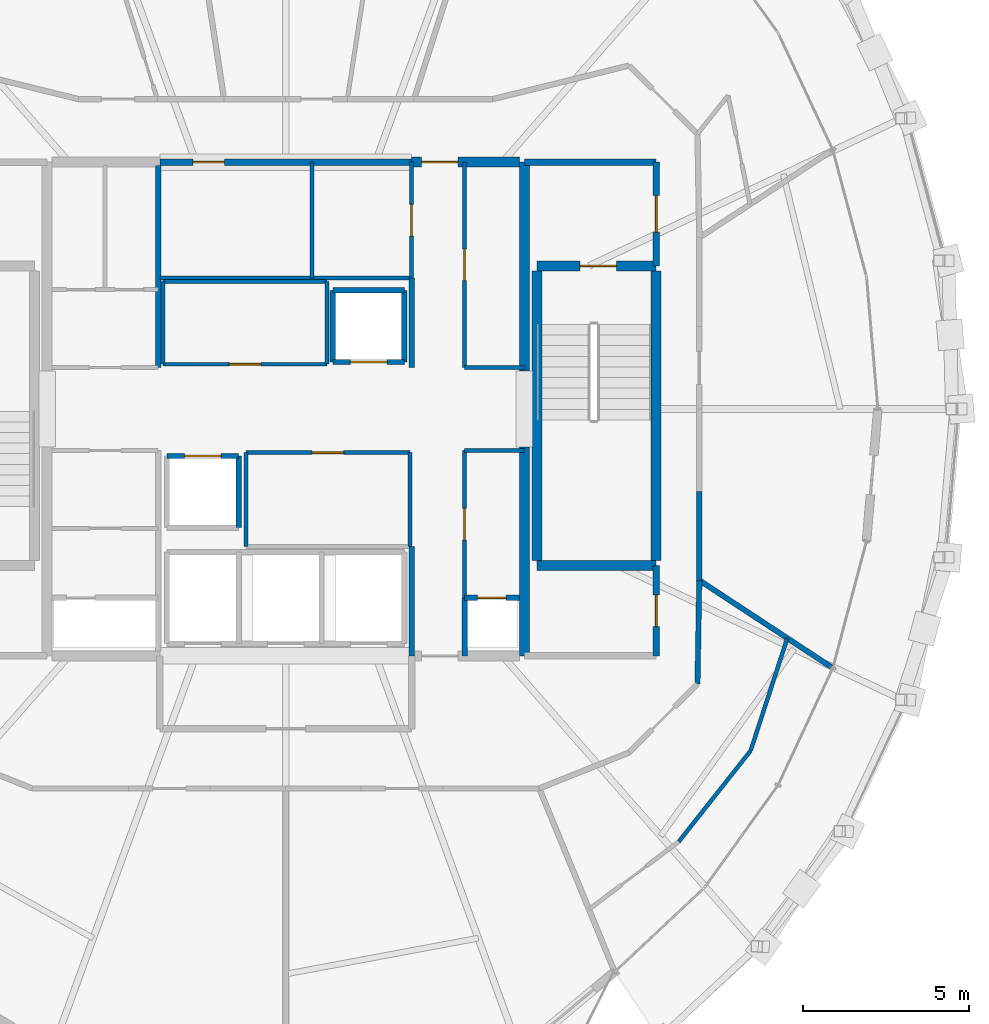
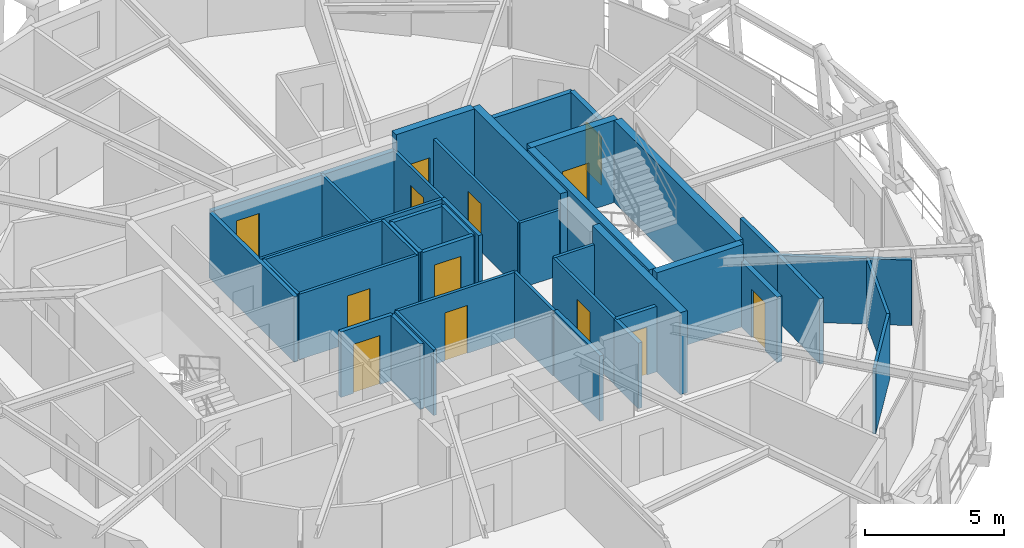
# One storey, part 13 of 16: 41 walls, 13 doors, 13 openings.
"""IFC4 building model written with IfcOpenShell, lengths in metres."""

from ifc_helpers import new_model, si_unit, direction, frame, frame_2d, origin, place, context, subcontext, project, spatial, rectangle, extrude, material, layer, layer_set, type_object, element, fill, save


model = new_model("IFC4")

# Units and contexts
model_context = context("Model", 3, precision=1e-05, world=origin(), true_north=direction((0.0, 1.0)))
body_context = subcontext(model_context, "Body", "Model", "MODEL_VIEW")
ifc_project = project(units=[si_unit("LENGTHUNIT", "METRE"), si_unit("AREAUNIT", "SQUARE_METRE"), si_unit("VOLUMEUNIT", "CUBIC_METRE"), si_unit("PLANEANGLEUNIT", "RADIAN"), si_unit("MASSUNIT", "GRAM", prefix="KILO")], contexts=[model_context])

# Site, building, storey
site_placement = place(None, origin())
site = spatial("IfcSite", under=ifc_project, at=site_placement, CompositionType="ELEMENT")
building_placement = place(site_placement, origin())
building = spatial("IfcBuilding", under=site, at=building_placement, Name="Veldorina Hangang Commons", CompositionType="ELEMENT")
storey_placement = place(building_placement, frame((0.0, 0.0, 283.199951171875)))
storey = spatial("IfcBuildingStorey", under=building, at=storey_placement, Name="L74", CompositionType="ELEMENT", Elevation=283.199951171875)

# Walls
ifc_material_1 = material(Name="Concrete C50/60", Category="concrete")
ifc_layer_1 = layer(ifc_material_1, 0.300048828125)
ifc_layer_set_1 = layer_set([ifc_layer_1], Name="Concrete C50/60")
wall_type_1 = type_object("IfcWallType", Name="CW-RC300-C50", PredefinedType="SHEAR", material=ifc_layer_set_1)
for number, where, z_axis, x_axis, name in (
    (1, (39.199951171875, 16.550048828125, 0.0), (0.0, 0.0, 1.0), (0.0, 1.0, 0.0), "L74 E south core shear wall"),
    (2, (39.199951171875, 25.14990234375, 0.0), (0.0, 0.0, 1.0), (0.0, 1.0, 0.0), "L74 E north core shear wall"),
):
    element("IfcWall", number, at=place(storey_placement, frame(where, z_axis=z_axis, x_axis=x_axis)), inside=storey, type_object=wall_type_1, Name=name, PredefinedType="SHEAR", context=body_context, shape_type="SweptSolid", body=[
        extrude(rectangle(XDim=6.300048828125, YDim=0.300048828125, at=frame_2d((3.14990234375, 0.0))), origin(), (0.0, 0.0, 1.0), 3.60009765625),
    ])

# Wall, opening, door
wall_1_placement = place(storey_placement, frame((35.800048828125, 31.449951171875, 0.0), z_axis=(0.0, 0.0, 1.0), x_axis=(1.0, 0.0, 0.0)))
wall_1 = element("IfcWall", 3, at=wall_1_placement, inside=storey, type_object=wall_type_1, Name="L74 north-east core shear wall", PredefinedType="SHEAR", context=body_context, shape_type="SweptSolid", body=[
    extrude(rectangle(XDim=3.25, YDim=0.300048828125, at=frame_2d((1.625, 0.0))), origin(), (0.0, 0.0, 1.0), 3.60009765625),
])
opening_1_placement = place(wall_1_placement, frame((0.300048828125, 0.0, 0.0)))
opening_1 = element("IfcOpeningElement", 4, at=opening_1_placement, cuts=wall_1, Name="Opening D-08", PredefinedType="OPENING", context=body_context, shape_type="SweptSolid", body=[
    extrude(rectangle(XDim=1.10009765625, YDim=2.10009765625, at=frame_2d((0.550048828125, 1.050048828125))), frame((0.0, 0.16015625, 0.0), z_axis=(0.0, -1.0, 0.0), x_axis=(1.0, 0.0, 0.0)), (0.0, 0.0, 1.0), 0.320068359375),
])
ifc_material_2 = material(Name="Steel Fire-Rated Smoke Seal", Category="steel")
door_type_1 = type_object("IfcDoorType", Name="DR-FIRE-1100", OperationType="SINGLE_SWING_RIGHT", PredefinedType="DOOR", material=ifc_material_2)
door_1_placement = place(opening_1_placement, origin())
door_1 = element("IfcDoor", 5, at=door_1_placement, inside=storey, type_object=door_type_1, Name="L74 central lift lobby north corridor door", OperationType="SINGLE_SWING_LEFT", OverallHeight=2.10009765625, OverallWidth=1.10009765625, PredefinedType="DOOR", context=body_context, shape_type="SweptSolid", body=[
    extrude(rectangle(XDim=1.10009765625, YDim=2.10009765625, at=frame_2d((0.550048828125, 1.050048828125))), frame((0.0, 0.02490234375, 0.0), z_axis=(0.0, -1.0, 0.0), x_axis=(1.0, 0.0, 0.0)), (0.0, 0.0, 1.0), 0.050048828125),
])
fill(opening_1, door_1)

# Walls
ifc_layer_2 = layer(ifc_material_1, 0.300048828125)
ifc_layer_set_2 = layer_set([ifc_layer_2], Name="Concrete C50/60")
wall_type_2 = type_object("IfcWallType", Name="SW-STAIR-300", PredefinedType="SHEAR", material=ifc_layer_set_2)
for number, where, z_axis, x_axis, name in (
    (6, (43.179931640625, 19.429931640625, 0.0), (0.0, 0.0, 1.0), (0.0, 1.0, 0.0), "L74 ST2 outer stair shear wall"),
    (7, (39.580078125, 19.429931640625, 0.0), (0.0, 0.0, 1.0), (0.0, 1.0, 0.0), "L74 ST2 inner stair shear wall"),
):
    element("IfcWall", number, at=place(storey_placement, frame(where, z_axis=z_axis, x_axis=x_axis)), inside=storey, type_object=wall_type_2, Name=name, PredefinedType="SHEAR", context=body_context, shape_type="SweptSolid", body=[
        extrude(rectangle(XDim=8.739990234375, YDim=0.300048828125, at=frame_2d((4.3701171875, 0.0))), origin(), (0.0, 0.0, 1.0), 3.60009765625),
    ])
wall_2_placement = place(storey_placement, frame((39.580078125, 19.280029296875, 0.0), z_axis=(0.0, 0.0, 1.0), x_axis=(1.0, 0.0, 0.0)))
element("IfcWall", 8, at=wall_2_placement, inside=storey, type_object=wall_type_2, Name="L74 ST2 south stair shear wall", PredefinedType="SHEAR", context=body_context, shape_type="SweptSolid", body=[
    extrude(rectangle(XDim=3.599853515625, YDim=0.300048828125, at=frame_2d((1.7998046875, 0.0))), origin(), (0.0, 0.0, 1.0), 3.60009765625),
])

# Wall, opening, door
wall_3_placement = place(storey_placement, frame((39.580078125, 28.320068359375, 0.0), z_axis=(0.0, 0.0, 1.0), x_axis=(1.0, 0.0, 0.0)))
wall_3 = element("IfcWall", 9, at=wall_3_placement, inside=storey, type_object=wall_type_2, Name="L74 ST2 north stair shear wall", PredefinedType="SHEAR", context=body_context, shape_type="SweptSolid", body=[
    extrude(rectangle(XDim=3.599853515625, YDim=0.300048828125, at=frame_2d((1.7998046875, 0.0))), origin(), (0.0, 0.0, 1.0), 3.60009765625),
])
opening_2_placement = place(wall_3_placement, frame((1.300048828125, 0.0, 0.0)))
opening_2 = element("IfcOpeningElement", 10, at=opening_2_placement, cuts=wall_3, Name="Opening D-08", PredefinedType="OPENING", context=body_context, shape_type="SweptSolid", body=[
    extrude(rectangle(XDim=1.10009765625, YDim=2.10009765625, at=frame_2d((0.550048828125, 1.050048828125))), frame((0.0, 0.16015625, 0.0), z_axis=(0.0, -1.0, 0.0), x_axis=(1.0, 0.0, 0.0)), (0.0, 0.0, 1.0), 0.320068359375),
])
door_2_placement = place(opening_2_placement, origin())
door_2 = element("IfcDoor", 11, at=door_2_placement, inside=storey, type_object=door_type_1, Name="L74 Special Escape Stair ST-2 door", OperationType="SINGLE_SWING_RIGHT", OverallHeight=2.10009765625, OverallWidth=1.10009765625, PredefinedType="DOOR", context=body_context, shape_type="SweptSolid", body=[
    extrude(rectangle(XDim=1.10009765625, YDim=2.10009765625, at=frame_2d((0.550048828125, 1.050048828125))), frame((0.0, 0.02490234375, 0.0), z_axis=(0.0, -1.0, 0.0), x_axis=(1.0, 0.0, 0.0)), (0.0, 0.0, 1.0), 0.050048828125),
])
fill(opening_2, door_2)

# Walls
ifc_material_3 = material(Name="Gypsum Fire-Rated Twin Stud Wall", Category="gypsum")
ifc_layer_3 = layer(ifc_material_3, 0.159912109375)
ifc_layer_set_3 = layer_set([ifc_layer_3], Name="Gypsum Fire-Rated Twin Stud Wall")
wall_type_3 = type_object("IfcWallType", Name="WL-FIRE-160", PredefinedType="SOLIDWALL", material=ifc_layer_set_3)
wall_4_placement = place(storey_placement, frame((35.800048828125, 16.550048828125, 0.0), z_axis=(0.0, 0.0, 1.0), x_axis=(0.0, 1.0, 0.0)))
element("IfcWall", 12, at=wall_4_placement, inside=storey, type_object=wall_type_3, Name="L74 Lift passage SW wall 009", PredefinedType="SOLIDWALL", context=body_context, shape_type="SweptSolid", body=[
    extrude(rectangle(XDim=3.300048828125, YDim=0.159912109375, at=frame_2d((1.64990234375, 0.0))), origin(), (0.0, 0.0, 1.0), 2.8701171875),
])
wall_5_placement = place(storey_placement, frame((37.39990234375, 16.550048828125, 0.0), z_axis=(0.0, 0.0, 1.0), x_axis=(0.0, 1.0, 0.0)))
element("IfcWall", 13, at=wall_5_placement, inside=storey, type_object=wall_type_3, Name="L74 Lift passage SE stub 010", PredefinedType="SOLIDWALL", context=body_context, shape_type="SweptSolid", body=[
    extrude(rectangle(XDim=1.75, YDim=0.159912109375, at=frame_2d((0.875, 0.0))), origin(), (0.0, 0.0, 1.0), 2.8701171875),
])
wall_6_placement = place(storey_placement, frame((35.800048828125, 25.25, 0.0), z_axis=(0.0, 0.0, 1.0), x_axis=(0.0, 1.0, 0.0)))
element("IfcWall", 14, at=wall_6_placement, inside=storey, type_object=wall_type_3, Name="L74 Lift passage NW lower wall 011", PredefinedType="SOLIDWALL", context=body_context, shape_type="SweptSolid", body=[
    extrude(rectangle(XDim=2.699951171875, YDim=0.159912109375, at=frame_2d((1.35009765625, 0.0))), origin(), (0.0, 0.0, 1.0), 2.8701171875),
])

# Wall, opening, door
wall_7_placement = place(storey_placement, frame((33.419921875, 25.419921875, 0.0), z_axis=(0.0, 0.0, 1.0), x_axis=(1.0, 0.0, 0.0)))
wall_7 = element("IfcWall", 15, at=wall_7_placement, inside=storey, type_object=wall_type_3, Name="L74 Mid-high front shaft wall 015", PredefinedType="SOLIDWALL", context=body_context, shape_type="SweptSolid", body=[
    extrude(rectangle(XDim=2.16015625, YDim=0.159912109375, at=frame_2d((1.080078125, 0.0))), origin(), (0.0, 0.0, 1.0), 2.8701171875),
])
opening_3_placement = place(wall_7_placement, frame((0.530029296875, 0.0, 0.0)))
opening_3 = element("IfcOpeningElement", 16, at=opening_3_placement, cuts=wall_7, Name="Opening LD-01", PredefinedType="OPENING", context=body_context, shape_type="SweptSolid", body=[
    extrude(rectangle(XDim=1.10009765625, YDim=2.14990234375, at=frame_2d((0.550048828125, 1.074951171875))), frame((0.0, 0.08984375, 0.0), z_axis=(0.0, -1.0, 0.0), x_axis=(1.0, 0.0, 0.0)), (0.0, 0.0, 1.0), 0.179931640625),
])
ifc_material_4 = material(Name="Stainless Steel Brushed Lift Door", Category="steel")
door_type_2 = type_object("IfcDoorType", Name="DR-LIFT-1100", OperationType="SLIDING_TO_LEFT", PredefinedType="DOOR", material=ifc_material_4)
door_3_placement = place(opening_3_placement, origin())
door_3 = element("IfcDoor", 17, at=door_3_placement, inside=storey, type_object=door_type_2, Name="L74 Lift PL-H1 landing door 006", OperationType="SLIDING_TO_RIGHT", OverallHeight=2.14990234375, OverallWidth=1.10009765625, PredefinedType="DOOR", context=body_context, shape_type="SweptSolid", body=[
    extrude(rectangle(XDim=1.10009765625, YDim=2.14990234375, at=frame_2d((0.550048828125, 1.074951171875))), frame((0.0, 0.02490234375, 0.0), z_axis=(0.0, -1.0, 0.0), x_axis=(1.0, 0.0, 0.0)), (0.0, 0.0, 1.0), 0.050048828125),
])
fill(opening_3, door_3)

# Walls
for number, where, z_axis, x_axis, name in (
    (18, (33.419921875, 27.580078125, 0.0), (0.0, 0.0, 1.0), (1.0, 0.0, 0.0), "L74 Mid-high rear shaft wall 016"),
    (19, (33.419921875, 25.419921875, 0.0), (0.0, 0.0, 1.0), (0.0, 1.0, 0.0), "L74 PL-H1 west shaft wall 017"),
    (20, (35.580078125, 25.419921875, 0.0), (0.0, 0.0, 1.0), (0.0, 1.0, 0.0), "L74 PL-H1 east shaft wall 018"),
):
    element("IfcWall", number, at=place(storey_placement, frame(where, z_axis=z_axis, x_axis=x_axis)), inside=storey, type_object=wall_type_3, Name=name, PredefinedType="SOLIDWALL", context=body_context, shape_type="SweptSolid", body=[
        extrude(rectangle(XDim=2.16015625, YDim=0.159912109375, at=frame_2d((1.080078125, 0.0))), origin(), (0.0, 0.0, 1.0), 2.8701171875),
    ])

# Wall, opening, door
wall_8_placement = place(storey_placement, frame((28.419921875, 22.580078125, 0.0), z_axis=(0.0, 0.0, 1.0), x_axis=(1.0, 0.0, 0.0)))
wall_8 = element("IfcWall", 21, at=wall_8_placement, inside=storey, type_object=wall_type_3, Name="L74 Shuttle-high front shaft wall 019", PredefinedType="SOLIDWALL", context=body_context, shape_type="SweptSolid", body=[
    extrude(rectangle(XDim=2.16015625, YDim=0.159912109375, at=frame_2d((1.080078125, 0.0))), origin(), (0.0, 0.0, 1.0), 2.8701171875),
])
opening_4_placement = place(wall_8_placement, frame((0.530029296875, 0.0, 0.0)))
opening_4 = element("IfcOpeningElement", 22, at=opening_4_placement, cuts=wall_8, Name="Opening LD-01", PredefinedType="OPENING", context=body_context, shape_type="SweptSolid", body=[
    extrude(rectangle(XDim=1.10009765625, YDim=2.14990234375, at=frame_2d((0.550048828125, 1.074951171875))), frame((0.0, 0.08984375, 0.0), z_axis=(0.0, -1.0, 0.0), x_axis=(1.0, 0.0, 0.0)), (0.0, 0.0, 1.0), 0.179931640625),
])
door_4_placement = place(opening_4_placement, origin())
door_4 = element("IfcDoor", 23, at=door_4_placement, inside=storey, type_object=door_type_2, Name="L74 Lift PL-H2 landing door 007", OperationType="SLIDING_TO_LEFT", OverallHeight=2.14990234375, OverallWidth=1.10009765625, PredefinedType="DOOR", context=body_context, shape_type="SweptSolid", body=[
    extrude(rectangle(XDim=1.10009765625, YDim=2.14990234375, at=frame_2d((0.550048828125, 1.074951171875))), frame((0.0, 0.02490234375, 0.0), z_axis=(0.0, -1.0, 0.0), x_axis=(1.0, 0.0, 0.0)), (0.0, 0.0, 1.0), 0.050048828125),
])
fill(opening_4, door_4)

# Wall
wall_9_placement = place(storey_placement, frame((30.580078125, 20.419921875, 0.0), z_axis=(0.0, 0.0, 1.0), x_axis=(0.0, 1.0, 0.0)))
element("IfcWall", 24, at=wall_9_placement, inside=storey, type_object=wall_type_3, Name="L74 PL-H2 east shaft wall 022", PredefinedType="SOLIDWALL", context=body_context, shape_type="SweptSolid", body=[
    extrude(rectangle(XDim=2.16015625, YDim=0.159912109375, at=frame_2d((1.080078125, 0.0))), origin(), (0.0, 0.0, 1.0), 2.8701171875),
])

# Wall, opening, door
wall_10_placement = place(storey_placement, frame((37.39990234375, 18.300048828125, 0.0), z_axis=(0.0, 0.0, 1.0), x_axis=(1.0, 0.0, 0.0)))
wall_10 = element("IfcWall", 25, at=wall_10_placement, inside=storey, type_object=wall_type_3, Name="L74 Plumbing riser wall 043", PredefinedType="SOLIDWALL", context=body_context, shape_type="SweptSolid", body=[
    extrude(rectangle(XDim=1.650146484375, YDim=0.159912109375, at=frame_2d((0.8251953125, 0.0))), origin(), (0.0, 0.0, 1.0), 2.8701171875),
])
opening_5_placement = place(wall_10_placement, frame((0.39501953125, 0.0, 0.0)))
opening_5 = element("IfcOpeningElement", 26, at=opening_5_placement, cuts=wall_10, Name="Opening D-01N", PredefinedType="OPENING", context=body_context, shape_type="SweptSolid", body=[
    extrude(rectangle(XDim=0.860107421875, YDim=2.10009765625, at=frame_2d((0.43017578125, 1.050048828125))), frame((0.0, 0.08984375, 0.0), z_axis=(0.0, -1.0, 0.0), x_axis=(1.0, 0.0, 0.0)), (0.0, 0.0, 1.0), 0.179931640625),
])
ifc_material_5 = material(Name="Timber Fire-Rated Core", Category="wood")
door_type_3 = type_object("IfcDoorType", Name="DR-INT-860", OperationType="SINGLE_SWING_LEFT", PredefinedType="DOOR", material=ifc_material_5)
door_5_placement = place(opening_5_placement, origin())
door_5 = element("IfcDoor", 27, at=door_5_placement, inside=storey, type_object=door_type_3, Name="L74 Plumbing riser access door 016", OperationType="SINGLE_SWING_RIGHT", OverallHeight=2.10009765625, OverallWidth=0.860107421875, PredefinedType="TRAPDOOR", context=body_context, shape_type="SweptSolid", body=[
    extrude(rectangle(XDim=0.860107421875, YDim=2.10009765625, at=frame_2d((0.43017578125, 1.050048828125))), frame((0.0, 0.02490234375, 0.0), z_axis=(0.0, -1.0, 0.0), x_axis=(1.0, 0.0, 0.0)), (0.0, 0.0, 1.0), 0.050048828125),
])
fill(opening_5, door_5)

# Walls
wall_11_placement = place(storey_placement, frame((28.14990234375, 25.25, 0.0), z_axis=(0.0, 0.0, 1.0), x_axis=(0.0, 1.0, 0.0)))
element("IfcWall", 28, at=wall_11_placement, inside=storey, type_object=wall_type_3, Name="L74 NW core inner wall 044", PredefinedType="SOLIDWALL", context=body_context, shape_type="SweptSolid", body=[
    extrude(rectangle(XDim=6.10009765625, YDim=0.159912109375, at=frame_2d((3.050048828125, 0.0))), origin(), (0.0, 0.0, 1.0), 2.8701171875),
])
wall_12_placement = place(storey_placement, frame((44.4267578125, 15.69677734375, 0.0), z_axis=(0.0, 0.0, 1.0), x_axis=(0.016981035134, 0.999855811828, 0.0)))
element("IfcWall", 29, at=wall_12_placement, inside=storey, type_object=wall_type_3, Name="L74 Compact collar outer wall 29 083", PredefinedType="SOLIDWALL", context=body_context, shape_type="SweptSolid", body=[
    extrude(rectangle(XDim=3.13427734375, YDim=0.159912109375, at=frame_2d((1.567138671875, 0.0))), origin(), (0.0, 0.0, 1.0), 2.8701171875),
])
wall_13_placement = place(storey_placement, frame((44.47998046875, 18.83056640625, 0.0), z_axis=(0.0, 0.0, 1.0), x_axis=(0.0, 1.0, 0.0)))
element("IfcWall", 30, at=wall_13_placement, inside=storey, type_object=wall_type_3, Name="L74 Compact collar outer wall 30 084", PredefinedType="SOLIDWALL", context=body_context, shape_type="SweptSolid", body=[
    extrude(rectangle(XDim=2.68701171875, YDim=0.159912109375, at=frame_2d((1.343505859375, 0.0))), origin(), (0.0, 0.0, 1.0), 2.8701171875),
])
wall_14_placement = place(storey_placement, frame((44.47998046875, 18.83056640625, 0.0), z_axis=(0.0, 0.0, 1.0), x_axis=(0.835700112482, -0.549186054082, 0.0)))
element("IfcWall", 31, at=wall_14_placement, inside=storey, type_object=wall_type_3, Name="L74 Unit party wall 30 086", PredefinedType="SOLIDWALL", context=body_context, shape_type="SweptSolid", body=[
    extrude(rectangle(XDim=4.771728515625, YDim=0.159912109375, at=frame_2d((2.3857421875, 0.0))), origin(), (0.0, 0.0, 1.0), 2.8701171875),
])

# Wall, opening, door
ifc_material_6 = material(Name="Concrete Blockwork Fire Wall C30/37", Category="masonry")
ifc_layer_4 = layer(ifc_material_6, 0.199951171875)
ifc_layer_set_4 = layer_set([ifc_layer_4], Name="Concrete Blockwork Fire Wall C30/37")
wall_type_4 = type_object("IfcWallType", Name="WL-FIRE-200", PredefinedType="SOLIDWALL", material=ifc_layer_set_4)
wall_15_placement = place(storey_placement, frame((43.179931640625, 28.320068359375, 0.0), z_axis=(0.0, 0.0, 1.0), x_axis=(0.0, 1.0, 0.0)))
wall_15 = element("IfcWall", 32, at=wall_15_placement, inside=storey, type_object=wall_type_4, Name="L74 East vestibule outer wall 003", PredefinedType="SOLIDWALL", context=body_context, shape_type="SweptSolid", body=[
    extrude(rectangle(XDim=3.1298828125, YDim=0.199951171875, at=frame_2d((1.56494140625, 0.0))), origin(), (0.0, 0.0, 1.0), 2.8701171875),
])
opening_6_placement = place(wall_15_placement, frame((1.014892578125, 0.0, 0.0)))
opening_6 = element("IfcOpeningElement", 33, at=opening_6_placement, cuts=wall_15, Name="Opening D-08", PredefinedType="OPENING", context=body_context, shape_type="SweptSolid", body=[
    extrude(rectangle(XDim=1.10009765625, YDim=2.10009765625, at=frame_2d((0.550048828125, 1.050048828125))), frame((0.0, 0.10986328125, 0.0), z_axis=(0.0, -1.0, 0.0), x_axis=(1.0, 0.0, 0.0)), (0.0, 0.0, 1.0), 0.219970703125),
])
door_6_placement = place(opening_6_placement, origin())
door_6 = element("IfcDoor", 34, at=door_6_placement, inside=storey, type_object=door_type_1, Name="L74 East vestibule east door 002", OperationType="SINGLE_SWING_RIGHT", OverallHeight=2.10009765625, OverallWidth=1.10009765625, PredefinedType="DOOR", context=body_context, shape_type="SweptSolid", body=[
    extrude(rectangle(XDim=1.10009765625, YDim=2.10009765625, at=frame_2d((0.550048828125, 1.050048828125))), frame((0.0, 0.02490234375, 0.0), z_axis=(0.0, -1.0, 0.0), x_axis=(1.0, 0.0, 0.0)), (0.0, 0.0, 1.0), 0.050048828125),
])
fill(opening_6, door_6)

# Wall
wall_16_placement = place(storey_placement, frame((39.199951171875, 31.449951171875, 0.0), z_axis=(0.0, 0.0, 1.0), x_axis=(1.0, 0.0, 0.0)))
element("IfcWall", 35, at=wall_16_placement, inside=storey, type_object=wall_type_4, Name="L74 East vestibule north wall 004", PredefinedType="SOLIDWALL", context=body_context, shape_type="SweptSolid", body=[
    extrude(rectangle(XDim=3.97998046875, YDim=0.199951171875, at=frame_2d((1.989990234375, 0.0))), origin(), (0.0, 0.0, 1.0), 2.8701171875),
])

# Wall, opening, door
wall_17_placement = place(storey_placement, frame((43.179931640625, 16.550048828125, 0.0), z_axis=(0.0, 0.0, 1.0), x_axis=(0.0, 1.0, 0.0)))
wall_17 = element("IfcWall", 36, at=wall_17_placement, inside=storey, type_object=wall_type_4, Name="L74 SE core room outer wall 007", PredefinedType="SOLIDWALL", context=body_context, shape_type="SweptSolid", body=[
    extrude(rectangle(XDim=2.72998046875, YDim=0.199951171875, at=frame_2d((1.364990234375, 0.0))), origin(), (0.0, 0.0, 1.0), 2.8701171875),
])
opening_7_placement = place(wall_17_placement, frame((0.889892578125, 0.0, 0.0)))
opening_7 = element("IfcOpeningElement", 37, at=opening_7_placement, cuts=wall_17, Name="Opening D-02", PredefinedType="OPENING", context=body_context, shape_type="SweptSolid", body=[
    extrude(rectangle(XDim=0.949951171875, YDim=2.10009765625, at=frame_2d((0.47509765625, 1.050048828125))), frame((0.0, 0.10986328125, 0.0), z_axis=(0.0, -1.0, 0.0), x_axis=(1.0, 0.0, 0.0)), (0.0, 0.0, 1.0), 0.219970703125),
])
ifc_material_7 = material(Name="Timber Solid Core Acoustic", Category="wood")
door_type_4 = type_object("IfcDoorType", Name="DR-INT-950", OperationType="SINGLE_SWING_LEFT", PredefinedType="DOOR", material=ifc_material_7)
door_7_placement = place(opening_7_placement, origin())
door_7 = element("IfcDoor", 38, at=door_7_placement, inside=storey, type_object=door_type_4, Name="L74 SE core WC door 004", OperationType="SINGLE_SWING_RIGHT", OverallHeight=2.10009765625, OverallWidth=0.949951171875, PredefinedType="DOOR", context=body_context, shape_type="SweptSolid", body=[
    extrude(rectangle(XDim=0.949951171875, YDim=2.10009765625, at=frame_2d((0.47509765625, 1.050048828125))), frame((0.0, 0.02490234375, 0.0), z_axis=(0.0, -1.0, 0.0), x_axis=(1.0, 0.0, 0.0)), (0.0, 0.0, 1.0), 0.050048828125),
])
fill(opening_7, door_7)

wall_18_placement = place(storey_placement, frame((28.199951171875, 31.449951171875, 0.0), z_axis=(0.0, 0.0, 1.0), x_axis=(1.0, 0.0, 0.0)))
wall_18 = element("IfcWall", 39, at=wall_18_placement, inside=storey, type_object=wall_type_4, Name="L74 Merged north core wall 029", PredefinedType="SOLIDWALL", context=body_context, shape_type="SweptSolid", body=[
    extrude(rectangle(XDim=7.60009765625, YDim=0.199951171875, at=frame_2d((3.800048828125, 0.0))), origin(), (0.0, 0.0, 1.0), 2.8701171875),
])
opening_8_placement = place(wall_18_placement, frame((1.0, 0.0, 0.0)))
opening_8 = element("IfcOpeningElement", 40, at=opening_8_placement, cuts=wall_18, Name="Opening D-02", PredefinedType="OPENING", context=body_context, shape_type="SweptSolid", body=[
    extrude(rectangle(XDim=0.949951171875, YDim=2.10009765625, at=frame_2d((0.47509765625, 1.050048828125))), frame((0.0, 0.10986328125, 0.0), z_axis=(0.0, -1.0, 0.0), x_axis=(1.0, 0.0, 0.0)), (0.0, 0.0, 1.0), 0.219970703125),
])
door_8_placement = place(opening_8_placement, origin())
door_8 = element("IfcDoor", 41, at=door_8_placement, inside=storey, type_object=door_type_4, Name="L74 Core study alcove door 011", OperationType="SINGLE_SWING_LEFT", OverallHeight=2.10009765625, OverallWidth=0.949951171875, PredefinedType="DOOR", context=body_context, shape_type="SweptSolid", body=[
    extrude(rectangle(XDim=0.949951171875, YDim=2.10009765625, at=frame_2d((0.47509765625, 1.050048828125))), frame((0.0, 0.02490234375, 0.0), z_axis=(0.0, -1.0, 0.0), x_axis=(1.0, 0.0, 0.0)), (0.0, 0.0, 1.0), 0.050048828125),
])
fill(opening_8, door_8)

# Wall
ifc_material_8 = material(Name="Gypsum Acoustic Stud Partition", Category="gypsum")
ifc_layer_5 = layer(ifc_material_8, 0.1201171875)
ifc_layer_set_5 = layer_set([ifc_layer_5], Name="Gypsum Acoustic Stud Partition")
wall_type_5 = type_object("IfcWallType", Name="WL-PART-120", PredefinedType="PARTITIONING", material=ifc_layer_set_5)
wall_19_placement = place(storey_placement, frame((28.199951171875, 27.949951171875, 0.0), z_axis=(0.0, 0.0, 1.0), x_axis=(1.0, 0.0, 0.0)))
element("IfcWall", 42, at=wall_19_placement, inside=storey, type_object=wall_type_5, Name="L74 Merged north south wall 030", PredefinedType="PARTITIONING", context=body_context, shape_type="SweptSolid", body=[
    extrude(rectangle(XDim=7.60009765625, YDim=0.1201171875, at=frame_2d((3.800048828125, 0.0))), origin(), (0.0, 0.0, 1.0), 2.8701171875),
])

# Wall, opening, door
wall_20_placement = place(storey_placement, frame((35.800048828125, 27.949951171875, 0.0), z_axis=(0.0, 0.0, 1.0), x_axis=(0.0, 1.0, 0.0)))
wall_20 = element("IfcWall", 43, at=wall_20_placement, inside=storey, type_object=wall_type_5, Name="L74 Merged north east wall 031", PredefinedType="PARTITIONING", context=body_context, shape_type="SweptSolid", body=[
    extrude(rectangle(XDim=3.5, YDim=0.1201171875, at=frame_2d((1.75, 0.0))), origin(), (0.0, 0.0, 1.0), 2.8701171875),
])
opening_9_placement = place(wall_20_placement, frame((1.27490234375, 0.0, 0.0)))
opening_9 = element("IfcOpeningElement", 44, at=opening_9_placement, cuts=wall_20, Name="Opening D-02", PredefinedType="OPENING", context=body_context, shape_type="SweptSolid", body=[
    extrude(rectangle(XDim=0.949951171875, YDim=2.10009765625, at=frame_2d((0.47509765625, 1.050048828125))), frame((0.0, 0.070068359375, 0.0), z_axis=(0.0, -1.0, 0.0), x_axis=(1.0, 0.0, 0.0)), (0.0, 0.0, 1.0), 0.14013671875),
])
door_9_placement = place(opening_9_placement, origin())
door_9 = element("IfcDoor", 45, at=door_9_placement, inside=storey, type_object=door_type_4, Name="L74 Core linen store door 012", OperationType="SINGLE_SWING_RIGHT", OverallHeight=2.10009765625, OverallWidth=0.949951171875, PredefinedType="DOOR", context=body_context, shape_type="SweptSolid", body=[
    extrude(rectangle(XDim=0.949951171875, YDim=2.10009765625, at=frame_2d((0.47509765625, 1.050048828125))), frame((0.0, 0.02490234375, 0.0), z_axis=(0.0, -1.0, 0.0), x_axis=(1.0, 0.0, 0.0)), (0.0, 0.0, 1.0), 0.050048828125),
])
fill(opening_9, door_9)

# Wall
wall_21_placement = place(storey_placement, frame((32.800048828125, 27.949951171875, 0.0), z_axis=(0.0, 0.0, 1.0), x_axis=(0.0, 1.0, 0.0)))
element("IfcWall", 46, at=wall_21_placement, inside=storey, type_object=wall_type_5, Name="L74 Merged north split wall 032", PredefinedType="PARTITIONING", context=body_context, shape_type="SweptSolid", body=[
    extrude(rectangle(XDim=3.5, YDim=0.1201171875, at=frame_2d((1.75, 0.0))), origin(), (0.0, 0.0, 1.0), 2.8701171875),
])

# Wall, opening, door
wall_22_placement = place(storey_placement, frame((28.300048828125, 25.35009765625, 0.0), z_axis=(0.0, 0.0, 1.0), x_axis=(1.0, 0.0, 0.0)))
wall_22 = element("IfcWall", 47, at=wall_22_placement, inside=storey, type_object=wall_type_5, Name="L74 Merged mid-bank south wall 033", PredefinedType="PARTITIONING", context=body_context, shape_type="SweptSolid", body=[
    extrude(rectangle(XDim=4.949951171875, YDim=0.1201171875, at=frame_2d((2.47509765625, 0.0))), origin(), (0.0, 0.0, 1.0), 2.8701171875),
])
opening_10_placement = place(wall_22_placement, frame((2.0, 0.0, 0.0)))
opening_10 = element("IfcOpeningElement", 48, at=opening_10_placement, cuts=wall_22, Name="Opening D-02", PredefinedType="OPENING", context=body_context, shape_type="SweptSolid", body=[
    extrude(rectangle(XDim=0.949951171875, YDim=2.10009765625, at=frame_2d((0.47509765625, 1.050048828125))), frame((0.0, 0.070068359375, 0.0), z_axis=(0.0, -1.0, 0.0), x_axis=(1.0, 0.0, 0.0)), (0.0, 0.0, 1.0), 0.14013671875),
])
door_10_placement = place(opening_10_placement, origin())
door_10 = element("IfcDoor", 49, at=door_10_placement, inside=storey, type_object=door_type_4, Name="L74 Quiet study room door 013", OperationType="SINGLE_SWING_LEFT", OverallHeight=2.10009765625, OverallWidth=0.949951171875, PredefinedType="DOOR", context=body_context, shape_type="SweptSolid", body=[
    extrude(rectangle(XDim=0.949951171875, YDim=2.10009765625, at=frame_2d((0.47509765625, 1.050048828125))), frame((0.0, 0.02490234375, 0.0), z_axis=(0.0, -1.0, 0.0), x_axis=(1.0, 0.0, 0.0)), (0.0, 0.0, 1.0), 0.050048828125),
])
fill(opening_10, door_10)

# Walls
wall_23_placement = place(storey_placement, frame((28.300048828125, 27.85009765625, 0.0), z_axis=(0.0, 0.0, 1.0), x_axis=(1.0, 0.0, 0.0)))
element("IfcWall", 50, at=wall_23_placement, inside=storey, type_object=wall_type_5, Name="L74 Merged mid-bank north wall 034", PredefinedType="PARTITIONING", context=body_context, shape_type="SweptSolid", body=[
    extrude(rectangle(XDim=4.949951171875, YDim=0.1201171875, at=frame_2d((2.47509765625, 0.0))), origin(), (0.0, 0.0, 1.0), 2.8701171875),
])
for number, where, z_axis, x_axis, name in (
    (51, (28.300048828125, 25.35009765625, 0.0), (0.0, 0.0, 1.0), (0.0, 1.0, 0.0), "L74 Merged mid-bank west wall 035"),
    (52, (33.25, 25.35009765625, 0.0), (0.0, 0.0, 1.0), (0.0, 1.0, 0.0), "L74 Merged mid-bank east wall 036"),
):
    element("IfcWall", number, at=place(storey_placement, frame(where, z_axis=z_axis, x_axis=x_axis)), inside=storey, type_object=wall_type_5, Name=name, PredefinedType="PARTITIONING", context=body_context, shape_type="SweptSolid", body=[
        extrude(rectangle(XDim=2.5, YDim=0.1201171875, at=frame_2d((1.25, 0.0))), origin(), (0.0, 0.0, 1.0), 2.8701171875),
    ])

# Wall, opening, door
wall_24_placement = place(storey_placement, frame((30.800048828125, 22.679931640625, 0.0), z_axis=(0.0, 0.0, 1.0), x_axis=(1.0, 0.0, 0.0)))
wall_24 = element("IfcWall", 53, at=wall_24_placement, inside=storey, type_object=wall_type_5, Name="L74 Merged shuttle north wall 037", PredefinedType="PARTITIONING", context=body_context, shape_type="SweptSolid", body=[
    extrude(rectangle(XDim=4.949951171875, YDim=0.1201171875, at=frame_2d((2.47509765625, 0.0))), origin(), (0.0, 0.0, 1.0), 2.8701171875),
])
opening_11_placement = place(wall_24_placement, frame((2.0, 0.0, 0.0)))
opening_11 = element("IfcOpeningElement", 54, at=opening_11_placement, cuts=wall_24, Name="Opening D-02", PredefinedType="OPENING", context=body_context, shape_type="SweptSolid", body=[
    extrude(rectangle(XDim=0.949951171875, YDim=2.10009765625, at=frame_2d((0.47509765625, 1.050048828125))), frame((0.0, 0.070068359375, 0.0), z_axis=(0.0, -1.0, 0.0), x_axis=(1.0, 0.0, 0.0)), (0.0, 0.0, 1.0), 0.14013671875),
])
door_11_placement = place(opening_11_placement, origin())
door_11 = element("IfcDoor", 55, at=door_11_placement, inside=storey, type_object=door_type_4, Name="L74 Floor tea pantry door 014", OperationType="SINGLE_SWING_RIGHT", OverallHeight=2.10009765625, OverallWidth=0.949951171875, PredefinedType="DOOR", context=body_context, shape_type="SweptSolid", body=[
    extrude(rectangle(XDim=0.949951171875, YDim=2.10009765625, at=frame_2d((0.47509765625, 1.050048828125))), frame((0.0, 0.02490234375, 0.0), z_axis=(0.0, -1.0, 0.0), x_axis=(1.0, 0.0, 0.0)), (0.0, 0.0, 1.0), 0.050048828125),
])
fill(opening_11, door_11)

# Walls
for number, where, z_axis, x_axis, name in (
    (56, (30.800048828125, 19.85009765625, 0.0), (0.0, 0.0, 1.0), (0.0, 1.0, 0.0), "L74 Merged shuttle west wall 039"),
    (57, (35.75, 19.85009765625, 0.0), (0.0, 0.0, 1.0), (0.0, 1.0, 0.0), "L74 Merged shuttle east wall 040"),
):
    element("IfcWall", number, at=place(storey_placement, frame(where, z_axis=z_axis, x_axis=x_axis)), inside=storey, type_object=wall_type_5, Name=name, PredefinedType="PARTITIONING", context=body_context, shape_type="SweptSolid", body=[
        extrude(rectangle(XDim=2.829833984375, YDim=0.1201171875, at=frame_2d((1.4150390625, 0.0))), origin(), (0.0, 0.0, 1.0), 2.8701171875),
    ])

# Wall, opening, door
wall_25_placement = place(storey_placement, frame((37.39990234375, 25.25, 0.0), z_axis=(0.0, 0.0, 1.0), x_axis=(0.0, 1.0, 0.0)))
wall_25 = element("IfcWall", 58, at=wall_25_placement, inside=storey, type_object=wall_type_5, Name="L74 NE strip lobby wall 047", PredefinedType="PARTITIONING", context=body_context, shape_type="SweptSolid", body=[
    extrude(rectangle(XDim=6.199951171875, YDim=0.1201171875, at=frame_2d((3.10009765625, 0.0))), origin(), (0.0, 0.0, 1.0), 2.8701171875),
])
opening_12_placement = place(wall_25_placement, frame((2.625, 0.0, 0.0)))
opening_12 = element("IfcOpeningElement", 59, at=opening_12_placement, cuts=wall_25, Name="Opening D-02", PredefinedType="OPENING", context=body_context, shape_type="SweptSolid", body=[
    extrude(rectangle(XDim=0.949951171875, YDim=2.10009765625, at=frame_2d((0.47509765625, 1.050048828125))), frame((0.0, 0.070068359375, 0.0), z_axis=(0.0, -1.0, 0.0), x_axis=(1.0, 0.0, 0.0)), (0.0, 0.0, 1.0), 0.14013671875),
])
door_12_placement = place(opening_12_placement, origin())
door_12 = element("IfcDoor", 60, at=door_12_placement, inside=storey, type_object=door_type_4, Name="L74 Switchboard door 022", OperationType="SINGLE_SWING_RIGHT", OverallHeight=2.10009765625, OverallWidth=0.949951171875, PredefinedType="DOOR", context=body_context, shape_type="SweptSolid", body=[
    extrude(rectangle(XDim=0.949951171875, YDim=2.10009765625, at=frame_2d((0.47509765625, 1.050048828125))), frame((0.0, 0.02490234375, 0.0), z_axis=(0.0, -1.0, 0.0), x_axis=(1.0, 0.0, 0.0)), (0.0, 0.0, 1.0), 0.050048828125),
])
fill(opening_12, door_12)

# Wall
wall_26_placement = place(storey_placement, frame((37.39990234375, 25.25, 0.0), z_axis=(0.0, 0.0, 1.0), x_axis=(1.0, 0.0, 0.0)))
element("IfcWall", 61, at=wall_26_placement, inside=storey, type_object=wall_type_5, Name="L74 NE strip south return wall 048", PredefinedType="PARTITIONING", context=body_context, shape_type="SweptSolid", body=[
    extrude(rectangle(XDim=1.800048828125, YDim=0.1201171875, at=frame_2d((0.89990234375, 0.0))), origin(), (0.0, 0.0, 1.0), 2.8701171875),
])

# Wall, opening, door
wall_27_placement = place(storey_placement, frame((37.39990234375, 18.300048828125, 0.0), z_axis=(0.0, 0.0, 1.0), x_axis=(0.0, 1.0, 0.0)))
wall_27 = element("IfcWall", 62, at=wall_27_placement, inside=storey, type_object=wall_type_5, Name="L74 SE strip lobby wall 049", PredefinedType="PARTITIONING", context=body_context, shape_type="SweptSolid", body=[
    extrude(rectangle(XDim=4.449951171875, YDim=0.1201171875, at=frame_2d((2.22509765625, 0.0))), origin(), (0.0, 0.0, 1.0), 2.8701171875),
])
opening_13_placement = place(wall_27_placement, frame((1.75, 0.0, 0.0)))
opening_13 = element("IfcOpeningElement", 63, at=opening_13_placement, cuts=wall_27, Name="Opening D-02", PredefinedType="OPENING", context=body_context, shape_type="SweptSolid", body=[
    extrude(rectangle(XDim=0.949951171875, YDim=2.10009765625, at=frame_2d((0.47509765625, 1.050048828125))), frame((0.0, 0.070068359375, 0.0), z_axis=(0.0, -1.0, 0.0), x_axis=(1.0, 0.0, 0.0)), (0.0, 0.0, 1.0), 0.14013671875),
])
door_13_placement = place(opening_13_placement, origin())
door_13 = element("IfcDoor", 64, at=door_13_placement, inside=storey, type_object=door_type_4, Name="L74 Telemetry door 023", OperationType="SINGLE_SWING_LEFT", OverallHeight=2.10009765625, OverallWidth=0.949951171875, PredefinedType="DOOR", context=body_context, shape_type="SweptSolid", body=[
    extrude(rectangle(XDim=0.949951171875, YDim=2.10009765625, at=frame_2d((0.47509765625, 1.050048828125))), frame((0.0, 0.02490234375, 0.0), z_axis=(0.0, -1.0, 0.0), x_axis=(1.0, 0.0, 0.0)), (0.0, 0.0, 1.0), 0.050048828125),
])
fill(opening_13, door_13)

# Walls
wall_28_placement = place(storey_placement, frame((37.39990234375, 22.75, 0.0), z_axis=(0.0, 0.0, 1.0), x_axis=(1.0, 0.0, 0.0)))
element("IfcWall", 65, at=wall_28_placement, inside=storey, type_object=wall_type_5, Name="L74 SE strip north return wall 050", PredefinedType="PARTITIONING", context=body_context, shape_type="SweptSolid", body=[
    extrude(rectangle(XDim=1.800048828125, YDim=0.1201171875, at=frame_2d((0.89990234375, 0.0))), origin(), (0.0, 0.0, 1.0), 2.8701171875),
])
wall_29_placement = place(storey_placement, frame((43.862548828125, 10.9443359375, 0.0), z_axis=(0.0, 0.0, 1.0), x_axis=(0.619897815211, 0.784682546446, 0.0)))
element("IfcWall", 66, at=wall_29_placement, inside=storey, type_object=wall_type_5, Name="L74 Laundry split 1 110", PredefinedType="PARTITIONING", context=body_context, shape_type="SweptSolid", body=[
    extrude(rectangle(XDim=3.49658203125, YDim=0.1201171875, at=frame_2d((1.748291015625, 0.0))), origin(), (0.0, 0.0, 1.0), 2.8701171875),
])
wall_30_placement = place(storey_placement, frame((46.030029296875, 13.68798828125, 0.0), z_axis=(0.0, 0.0, 1.0), x_axis=(0.309946735565, 0.950753922481, 0.0)))
element("IfcWall", 67, at=wall_30_placement, inside=storey, type_object=wall_type_5, Name="L74 Laundry split 2 111", PredefinedType="PARTITIONING", context=body_context, shape_type="SweptSolid", body=[
    extrude(rectangle(XDim=3.572265625, YDim=0.1201171875, at=frame_2d((1.7861328125, 0.0))), origin(), (0.0, 0.0, 1.0), 2.8701171875),
])

save(model, "model.ifc")
